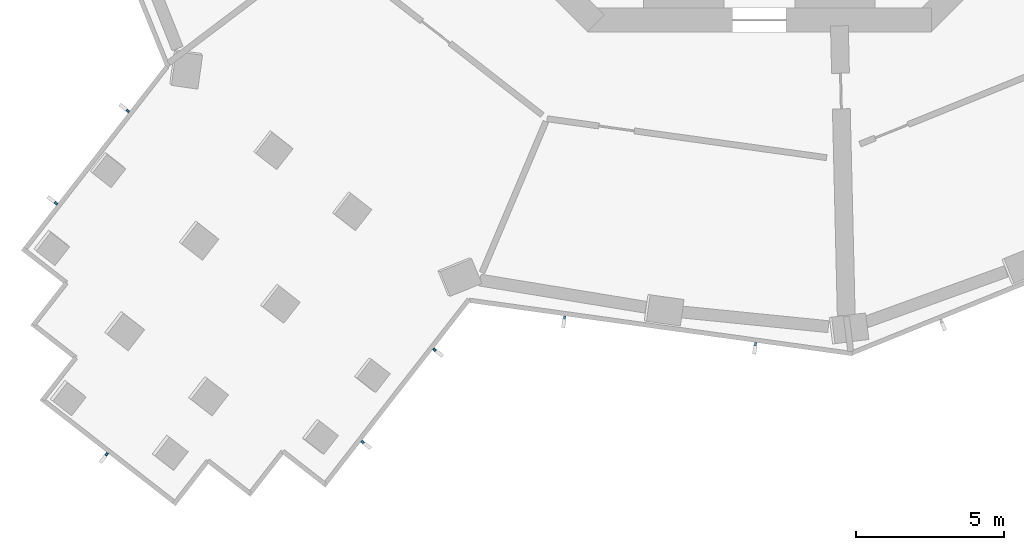
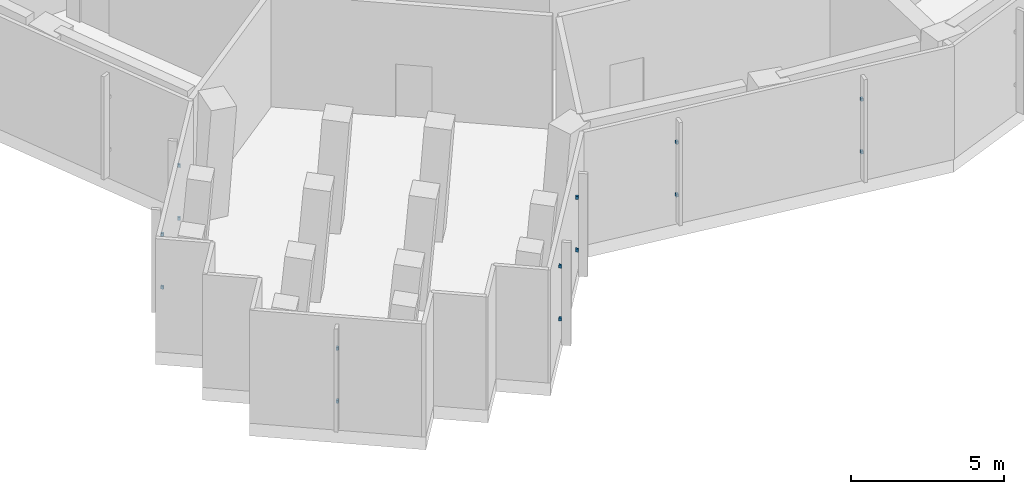
# One storey, part 6 of 17: 14 discrete accessories.
"""IFC4 building model written with IfcOpenShell, lengths in metres."""

from ifc_helpers import new_model, si_unit, direction, frame, origin, origin_2d, place, context, subcontext, project, spatial, rectangle, extrude, element, save


model = new_model("IFC4")

# Units and contexts
model_context = context("Model", 3, precision=1e-05, world=origin(), true_north=direction((0.0, 1.0)))
body_context = subcontext(model_context, "Body", "Model", "MODEL_VIEW")
ifc_project = project(units=[si_unit("LENGTHUNIT", "METRE"), si_unit("AREAUNIT", "SQUARE_METRE"), si_unit("VOLUMEUNIT", "CUBIC_METRE"), si_unit("PLANEANGLEUNIT", "RADIAN"), si_unit("MASSUNIT", "GRAM", prefix="KILO")], contexts=[model_context])

# Site, building, storey
site_placement = place(None, origin())
site = spatial("IfcSite", under=ifc_project, at=site_placement, CompositionType="ELEMENT")
building_placement = place(site_placement, origin())
building = spatial("IfcBuilding", under=site, at=building_placement, Name="Verdalira Terraces Hotel", CompositionType="ELEMENT")
storey_placement = place(building_placement, frame((0.0, 0.0, 122.0)))
storey = spatial("IfcBuildingStorey", under=building, at=storey_placement, Name="L29", CompositionType="ELEMENT", Elevation=122.0)

# Discrete accessories
for number, where, z_axis, x_axis, name in (
    (1, (-21.28833, -16.668213, 1.139893), (0.0, 0.0, 1.0), (-0.614560605, -0.788869611, 0.0), "Fin bracket"),
    (2, (-21.28833, -16.668213, 3.23999), (0.0, 0.0, 1.0), (-0.614560605, -0.788869611, 0.0), "Fin bracket"),
    (3, (-23.714111, -19.782227, 1.139893), (0.0, 0.0, 1.0), (-0.614560605, -0.788869611, 0.0), "Fin bracket"),
    (4, (-23.714111, -19.782227, 3.23999), (0.0, 0.0, 1.0), (-0.614560605, -0.788869611, 0.0), "Fin bracket"),
    (5, (-22.003174, -28.243896, 1.139893), (0.0, 0.0, 1.0), (0.788869611, -0.614560605, 0.0), "Fin bracket"),
    (6, (-22.003174, -28.243896, 3.23999), (0.0, 0.0, 1.0), (0.788869611, -0.614560605, 0.0), "Fin bracket"),
    (7, (-13.379883, -27.833008, 1.139893), (0.0, 0.0, 1.0), (0.614560605, 0.788869611, 0.0), "Fin bracket"),
    (8, (-13.379883, -27.833008, 3.23999), (0.0, 0.0, 1.0), (0.614560605, 0.788869611, 0.0), "Fin bracket"),
    (9, (-10.954102, -24.718994, 1.139893), (0.0, 0.0, 1.0), (0.614560605, 0.788869611, 0.0), "Fin bracket"),
    (10, (-10.954102, -24.718994, 3.23999), (0.0, 0.0, 1.0), (0.614560605, 0.788869611, 0.0), "Fin bracket"),
    (11, (-6.568359, -23.628662, 1.139893), (0.0, 0.0, 1.0), (0.990461426, -0.137790291, 0.0), "Fin bracket"),
    (12, (-6.568359, -23.628662, 3.23999), (0.0, 0.0, 1.0), (0.990461426, -0.137790291, 0.0), "Fin bracket"),
    (13, (-0.130371, -24.52417, 1.139893), (0.0, 0.0, 1.0), (0.990461426, -0.137790291, 0.0), "Fin bracket"),
    (14, (-0.130371, -24.52417, 3.23999), (0.0, 0.0, 1.0), (0.990461426, -0.137790291, 0.0), "Fin bracket"),
):
    element("IfcDiscreteAccessory", number, at=place(storey_placement, frame(where, z_axis=z_axis, x_axis=x_axis)), inside=storey, Name=name, PredefinedType="BRACKET", context=body_context, shape_type="SweptSolid", body=[
        extrude(rectangle(XDim=0.080078, YDim=0.100098, at=origin_2d()), origin(), (0.0, 0.0, 1.0), 0.120117),
    ])

save(model, "model.ifc")
